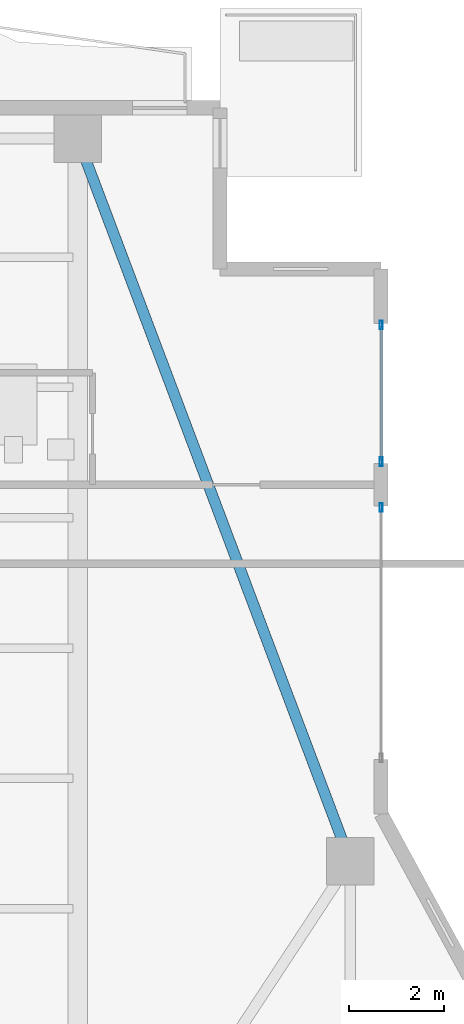
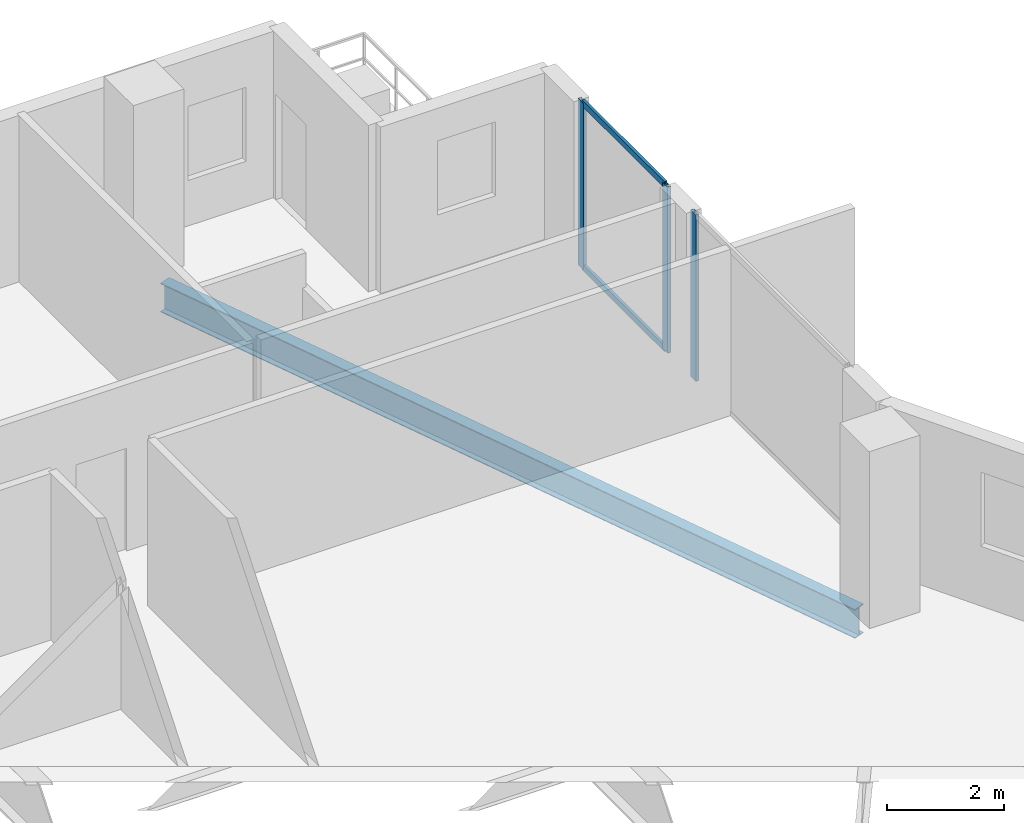
# One storey, part 15 of 23: 5 members, 1 beam, 2 elements without a shape of their own.
"""IFC4 building model written with IfcOpenShell, lengths in metres."""

from ifc_helpers import new_model, si_unit, direction, frame, origin, origin_2d, place, context, subcontext, project, spatial, hollow_rectangle, i_section, extrude, material, layer, layer_set, material_profile, profile_set, type_object, element, aggregate, save


model = new_model("IFC4")

# Units and contexts
model_context = context("Model", 3, precision=1e-05, world=origin(), true_north=direction((0.0, 1.0)))
body_context = subcontext(model_context, "Body", "Model", "MODEL_VIEW")
ifc_project = project(units=[si_unit("LENGTHUNIT", "METRE"), si_unit("AREAUNIT", "SQUARE_METRE"), si_unit("VOLUMEUNIT", "CUBIC_METRE"), si_unit("PLANEANGLEUNIT", "RADIAN"), si_unit("MASSUNIT", "GRAM", prefix="KILO")], contexts=[model_context])

# Site, building, storey
site_placement = place(None, origin())
site = spatial("IfcSite", under=ifc_project, at=site_placement, CompositionType="ELEMENT")
building_placement = place(site_placement, origin())
building = spatial("IfcBuilding", under=site, at=building_placement, Name="Zuhayl Quay Hotel", CompositionType="ELEMENT")
storey_placement = place(building_placement, frame((0.0, 0.0, 261.85009765625)))
storey = spatial("IfcBuildingStorey", under=building, at=storey_placement, Name="L66", CompositionType="ELEMENT", Elevation=261.85009765625)

# Beam
ifc_material_1 = material(Name="Steel ASTM A992 Grade 50", Category="steel")
ifc_material_profile_1 = material_profile(ifc_material_1, i_section(OverallWidth=0.22802734375, OverallDepth=0.60693359375, WebThickness=0.01123046875, FlangeThickness=0.017333984375, at=origin_2d()), Name="W24X76")
ifc_profile_set_1 = profile_set([ifc_material_profile_1], Name="Steel ASTM A992 Grade 50")
beam_type = type_object("IfcBeamType", Name="BM_B3_W24X76", PredefinedType="BEAM", material=ifc_profile_set_1)
beam_placement = place(storey_placement, frame((19.3876953125, 23.530517578125, -0.523681640625), z_axis=(-0.352796603103, 0.935700035716, 0.0), x_axis=(-0.935700035716, -0.352796603103, 0.0)))
element("IfcBeam", 1, at=beam_placement, inside=storey, type_object=beam_type, Name="L66 Floor Beam RG_L66_06", PredefinedType="BEAM", context=body_context, shape_type="SweptSolid", body=[
    extrude(i_section(OverallWidth=0.22802734375, OverallDepth=0.60693359375, WebThickness=0.01123046875, FlangeThickness=0.017333984375, at=origin_2d()), origin(), (0.0, 0.0, 1.0), 15.3779296875),
])

# Curtain wall, members
ifc_material_2 = material(Name="Anodised Aluminium 6063-T6", Category="aluminium")
ifc_layer = layer(ifc_material_2, 0.169921875, Name="Anodised Aluminium 6063-T6", Category="aluminium")
ifc_layer_set = layer_set([ifc_layer], Name="Anodised Aluminium 6063-T6")
curtain_wall_type = type_object("IfcCurtainWallType", Name="CW_SYS_Z4", PredefinedType="USERDEFINED", material=ifc_layer_set)
curtain_wall_1_placement = place(storey_placement, origin())
curtain_wall_1 = element("IfcCurtainWall", 2, at=curtain_wall_1_placement, inside=storey, type_object=curtain_wall_type, Name="L66 Curtain Wall ENV_L66_E11_CW1", ObjectType="UNITISED CURTAIN WALL", PredefinedType="USERDEFINED")
ifc_material_3 = material(Name="Black-anodised aluminium 6063-T6", Category="aluminium")
ifc_material_profile_2 = material_profile(ifc_material_3, hollow_rectangle(XDim=0.06494140625, YDim=0.179931640625, WallThickness=0.00341796875, at=origin_2d()), Name="ALU180X65")
ifc_profile_set_2 = profile_set([ifc_material_profile_2], Name="Black-anodised aluminium 6063-T6")
member_type_1 = type_object("IfcMemberType", Name="MB_CW_MUL_180", PredefinedType="MULLION", material=ifc_profile_set_2)
member_1_placement = place(storey_placement, frame((20.199951171875, 34.41748046875, 0.0), z_axis=(0.0, 0.0, 1.0), x_axis=(1.0, 0.0, 0.0)))
member_1 = element("IfcMember", 3, at=member_1_placement, type_object=member_type_1, Name="CW-Z4 mullion 1", PredefinedType="MULLION", context=body_context, shape_type="SweptSolid", body=[
    extrude(hollow_rectangle(XDim=0.06494140625, YDim=0.179931640625, WallThickness=0.00341796875, at=origin_2d()), origin(), (0.0, 0.0, 1.0), 3.47998046875),
])
member_2_placement = place(storey_placement, frame((20.199951171875, 31.532470703125, 0.0), z_axis=(0.0, 0.0, 1.0), x_axis=(1.0, 0.0, 0.0)))
member_2 = element("IfcMember", 4, at=member_2_placement, type_object=member_type_1, Name="CW-Z4 mullion 2", PredefinedType="MULLION", context=body_context, shape_type="SweptSolid", body=[
    extrude(hollow_rectangle(XDim=0.06494140625, YDim=0.179931640625, WallThickness=0.00341796875, at=origin_2d()), origin(), (0.0, 0.0, 1.0), 3.47998046875),
])

# Curtain wall, member
curtain_wall_2_placement = place(storey_placement, origin())
curtain_wall_2 = element("IfcCurtainWall", 5, at=curtain_wall_2_placement, inside=storey, type_object=curtain_wall_type, Name="L66 Curtain Wall ENV_L66_E11_CW2", ObjectType="UNITISED CURTAIN WALL", PredefinedType="USERDEFINED")
member_3_placement = place(storey_placement, frame((20.199951171875, 30.5673828125, 0.0), z_axis=(0.0, 0.0, 1.0), x_axis=(1.0, 0.0, 0.0)))
member_3 = element("IfcMember", 6, at=member_3_placement, type_object=member_type_1, Name="CW-Z4 mullion 1", PredefinedType="MULLION", context=body_context, shape_type="SweptSolid", body=[
    extrude(hollow_rectangle(XDim=0.06494140625, YDim=0.179931640625, WallThickness=0.00341796875, at=origin_2d()), origin(), (0.0, 0.0, 1.0), 3.47998046875),
])
aggregate(curtain_wall_2, [member_3])

# Member
ifc_material_profile_3 = material_profile(ifc_material_3, hollow_rectangle(XDim=0.054931640625, YDim=0.1298828125, WallThickness=0.0029296875, at=origin_2d()), Name="ALU130X55")
ifc_profile_set_3 = profile_set([ifc_material_profile_3], Name="Black-anodised aluminium 6063-T6")
member_type_2 = type_object("IfcMemberType", Name="MB_CW_TRN_130", PredefinedType="USERDEFINED", material=ifc_profile_set_3)
member_4_placement = place(storey_placement, frame((20.199951171875, 34.385009765625, 0.02734375), z_axis=(0.0, -1.0, 0.0), x_axis=(1.0, 0.0, 0.0)))
member_4 = element("IfcMember", 7, at=member_4_placement, type_object=member_type_2, Name="CW-Z4 transom 1.1", ObjectType="TRANSOM", PredefinedType="USERDEFINED", context=body_context, shape_type="SweptSolid", body=[
    extrude(hollow_rectangle(XDim=0.054931640625, YDim=0.1298828125, WallThickness=0.0029296875, at=origin_2d()), origin(), (0.0, 0.0, 1.0), 2.820068359375),
])

member_5_placement = place(storey_placement, frame((20.199951171875, 34.385009765625, 3.452392578125), z_axis=(0.0, -1.0, 0.0), x_axis=(1.0, 0.0, 0.0)))
member_5 = element("IfcMember", 8, at=member_5_placement, type_object=member_type_2, Name="CW-Z4 transom 1.2", ObjectType="TRANSOM", PredefinedType="USERDEFINED", context=body_context, shape_type="SweptSolid", body=[
    extrude(hollow_rectangle(XDim=0.054931640625, YDim=0.1298828125, WallThickness=0.0029296875, at=origin_2d()), origin(), (0.0, 0.0, 1.0), 2.820068359375),
])

aggregate(curtain_wall_1, [member_1, member_2, member_4, member_5])

save(model, "model.ifc")
